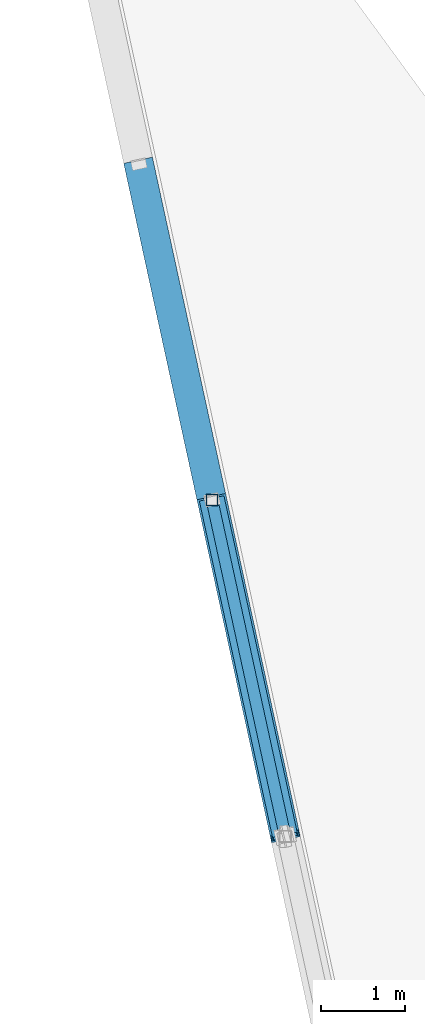
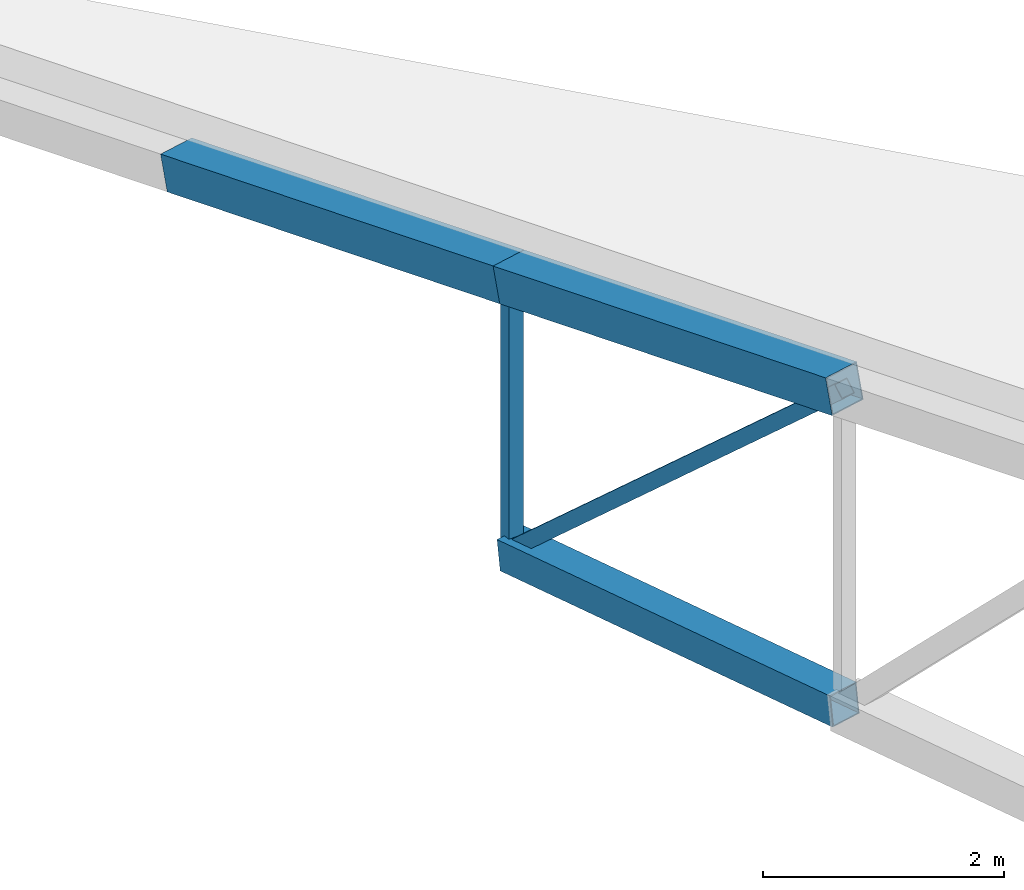
# One storey, part 31 of 188: 5 members.
"""IFC4 building model written with IfcOpenShell, lengths in metres."""

import ifcopenshell
import ifcopenshell.guid

model = None  # the IFC model being written
_history = None  # IfcOwnerHistory: only IFC2X3 demands one
_inside = {}  # id of a spatial element -> (the spatial element, [elements in it])
_under = {}  # id of a project, library or spatial element -> (it, [spatial elements below it])
_declared = {}  # id of a project -> (the project, [libraries it declares])
_typed = {}  # id of a type object -> (the type object, [elements of that type])
_made_of = {}  # id of a material, layer set ... -> (it, [elements and type objects made of it])


def new_model(schema):
    """Start an empty IFC model of exactly this schema.

    Asked for "IFC4X3", IfcOpenShell would pick the latest addendum, in which some entities
    have other attributes; the version numbers below select the first issue.
    IFC2X3 requires an IfcOwnerHistory on every rooted entity: one is made here for all.
    """
    global model, _history
    if schema == "IFC4X3":
        model = ifcopenshell.file(schema_version=(4, 3, 0, 0))
    else:
        model = ifcopenshell.file(schema=schema)
    _inside.clear()
    _under.clear()
    _declared.clear()
    _typed.clear()
    _made_of.clear()
    _history = None
    if model.schema == "IFC2X3":
        org = make("IfcOrganization", Name="unknown")
        user = make(
            "IfcPersonAndOrganization",
            ThePerson=make("IfcPerson", FamilyName="unknown"),
            TheOrganization=org,
        )
        app = make(
            "IfcApplication",
            ApplicationDeveloper=org,
            Version="unknown",
            ApplicationFullName="unknown",
            ApplicationIdentifier="unknown",
        )
        _history = make(
            "IfcOwnerHistory",
            OwningUser=user,
            OwningApplication=app,
            ChangeAction="ADDED",
            CreationDate=0,
        )
    return model


def make(cls, **values):
    """One entity of the class cls with the attributes given. An attribute that is None is left unset."""
    return model.create_entity(
        cls, **{name: value for name, value in values.items() if value is not None}
    )


def rooted(cls, **values):
    """An entity with a GlobalId (a new one), such as an element, a storey or a relation."""
    return make(cls, GlobalId=ifcopenshell.guid.new(), OwnerHistory=_history, **values)


def si_unit(unit_type, name, prefix=None):
    """IfcSIUnit, for example si_unit("LENGTHUNIT", "METRE", prefix="MILLI")."""
    return make("IfcSIUnit", UnitType=unit_type, Prefix=prefix, Name=name)


def assignment(units):
    """IfcUnitAssignment: the units of a project."""
    return None if units is None else make("IfcUnitAssignment", Units=units)


def point(xyz):
    """IfcCartesianPoint."""
    return None if xyz is None else make("IfcCartesianPoint", Coordinates=xyz)


def direction(xyz):
    """IfcDirection."""
    return None if xyz is None else make("IfcDirection", DirectionRatios=xyz)


def frame(location, z_axis=None, x_axis=None):
    """IfcAxis2Placement3D, a coordinate frame: its origin and axes. An axis left out is left unset."""
    return make(
        "IfcAxis2Placement3D",
        Location=point(location),
        Axis=direction(z_axis),
        RefDirection=direction(x_axis),
    )


def frame_2d(location, x_axis=None):
    """IfcAxis2Placement2D, a coordinate frame in the plane: its origin and x axis."""
    return make(
        "IfcAxis2Placement2D", Location=point(location), RefDirection=direction(x_axis)
    )


def origin():
    """The frame at (0, 0, 0) with its axes left unset."""
    return frame((0.0, 0.0, 0.0))


def origin_2d():
    """The frame at (0, 0) in the plane with its x axis left unset."""
    return frame_2d((0.0, 0.0))


def place(relative_to, where):
    """IfcLocalPlacement: puts the frame where relative to a parent placement (None: the world)."""
    return make(
        "IfcLocalPlacement", PlacementRelTo=relative_to, RelativePlacement=where
    )


def context(
    kind, dimensions, precision=None, world=None, true_north=None, identifier=None
):
    """IfcGeometricRepresentationContext, for example the 3D "Model" context."""
    return make(
        "IfcGeometricRepresentationContext",
        ContextIdentifier=identifier,
        ContextType=kind,
        CoordinateSpaceDimension=dimensions,
        Precision=precision,
        WorldCoordinateSystem=world,
        TrueNorth=true_north,
    )


def subcontext(parent, identifier, kind, view, scale=None):
    """IfcGeometricRepresentationSubContext, for example "Body" below "Model"."""
    return make(
        "IfcGeometricRepresentationSubContext",
        ContextIdentifier=identifier,
        ContextType=kind,
        ParentContext=parent,
        TargetScale=scale,
        TargetView=view,
    )


def project(units=None, contexts=None):
    """IfcProject with its units and contexts."""
    return rooted(
        "IfcProject",
        Name="project",
        RepresentationContexts=contexts,
        UnitsInContext=assignment(units),
    )


def spatial(cls, under=None, at=None, **own):
    """A site, building, storey or space (cls), placed at a placement, below another one or the project."""
    s = rooted(cls, ObjectPlacement=at, **own)
    if under is not None:
        _under.setdefault(under.id(), (under, []))[1].append(s)
    return s


def profile(cls, at=None, kind="AREA", **sizes):
    """A parametric profile (cls). Its sizes go by their IFC names, for example OverallWidth=200.0."""
    return make(cls, ProfileType=kind, Position=at, **sizes)


def hollow_rectangle(**sizes):
    """IfcRectangleHollowProfileDef."""
    return profile("IfcRectangleHollowProfileDef", **sizes)


def extrude(swept, where, along, depth):
    """IfcExtrudedAreaSolid: the profile swept, set in the frame where, extruded along a direction by depth."""
    return make(
        "IfcExtrudedAreaSolid",
        SweptArea=swept,
        Position=where,
        ExtrudedDirection=direction(along),
        Depth=depth,
    )


def shape(context_of_items, identifier, shape_type, items):
    """IfcShapeRepresentation: the items that make up one representation, for example the "Body"."""
    return make(
        "IfcShapeRepresentation",
        ContextOfItems=context_of_items,
        RepresentationIdentifier=identifier,
        RepresentationType=shape_type,
        Items=items,
    )


def material(Name=None, Category=None):
    """IfcMaterial."""
    return make("IfcMaterial", Name=Name, Category=Category)


def material_profile(
    of_material, cross_section, Name=None, Category=None, Priority=None
):
    """IfcMaterialProfile: a cross section and its material."""
    return make(
        "IfcMaterialProfile",
        Name=Name,
        Material=of_material,
        Profile=cross_section,
        Priority=Priority,
        Category=Category,
    )


def profile_set(profiles, Name=None, composite=None):
    """IfcMaterialProfileSet."""
    return make(
        "IfcMaterialProfileSet",
        Name=Name,
        MaterialProfiles=profiles,
        CompositeProfile=composite,
    )


def made_of(thing, what):
    """Note that an element or type object is made of a material, layer set ...; save() writes the relation."""
    if what is not None:
        _made_of.setdefault(what.id(), (what, []))[1].append(thing)
    return thing


def type_object(cls, material=None, **own):
    """A type object (cls), such as IfcWallType, which elements share."""
    return made_of(rooted(cls, **own), material)


def element(
    cls,
    number,
    at=None,
    inside=None,
    cuts=None,
    type_object=None,
    material=None,
    context=None,
    identifier="Body",
    shape_type=None,
    held_by="IfcProductDefinitionShape",
    body=None,
    shapes=None,
    **own,
):
    """One element of the class cls, such as IfcWall. Its Tag is "e" and its number.

    at: its placement. inside: the storey or other place that contains it. cuts: it is an
    opening in that element (IfcRelVoidsElement). A single representation is given by context,
    identifier, shape_type and body (its items); several are given by shapes. held_by: the class
    of the entity that holds the representations. save() writes the other relations.
    """
    e = rooted(cls, Tag="e%d" % number, ObjectPlacement=at, **own)
    if body is not None:
        shapes = [shape(context, identifier, shape_type, body)]
    if shapes is not None:
        e.Representation = make(held_by, Representations=shapes)
    if inside is not None:
        _inside.setdefault(inside.id(), (inside, []))[1].append(e)
    if cuts is not None:
        rooted(
            "IfcRelVoidsElement", RelatingBuildingElement=cuts, RelatedOpeningElement=e
        )
    if type_object is not None:
        _typed.setdefault(type_object.id(), (type_object, []))[1].append(e)
    return made_of(e, material)


def aggregate(whole, parts):
    """IfcRelAggregates: a whole, such as a stair, and the parts it consists of."""
    return rooted("IfcRelAggregates", RelatingObject=whole, RelatedObjects=parts)


def save(model, path):
    """Write the relations noted so far, then the file.

    IfcRelAggregates (storeys below a building ...), IfcRelContainedInSpatialStructure (elements
    in a storey), IfcRelDefinesByType, IfcRelAssociatesMaterial and IfcRelDeclares: one each for
    every whole, place, type object, material and project.
    """
    for whole, parts in _under.values():
        aggregate(whole, parts)
    for where, things in _inside.values():
        rooted(
            "IfcRelContainedInSpatialStructure",
            RelatedElements=things,
            RelatingStructure=where,
        )
    for kind, things in _typed.values():
        rooted("IfcRelDefinesByType", RelatedObjects=things, RelatingType=kind)
    for what, things in _made_of.values():
        rooted("IfcRelAssociatesMaterial", RelatedObjects=things, RelatingMaterial=what)
    for by, libraries in _declared.values():
        rooted("IfcRelDeclares", RelatingContext=by, RelatedDefinitions=libraries)
    model.write(path)


model = new_model("IFC4")

# Units and contexts
model_context = context("Model", 3, precision=1e-05, world=origin(), true_north=direction((0.0, 1.0)))
body_context = subcontext(model_context, "Body", "Model", "MODEL_VIEW")
ifc_project = project(units=[si_unit("LENGTHUNIT", "METRE"), si_unit("AREAUNIT", "SQUARE_METRE"), si_unit("VOLUMEUNIT", "CUBIC_METRE"), si_unit("PLANEANGLEUNIT", "RADIAN"), si_unit("MASSUNIT", "GRAM", prefix="KILO")], contexts=[model_context])

# Site, building, storey
site_placement = place(None, origin())
site = spatial("IfcSite", under=ifc_project, at=site_placement, CompositionType="ELEMENT")
building_placement = place(site_placement, origin())
building = spatial("IfcBuilding", under=site, at=building_placement, Name="Meseta Stadium", CompositionType="ELEMENT")
storey_placement = place(building_placement, frame((0.0, 0.0, 30.0)))
storey = spatial("IfcBuildingStorey", under=building, at=storey_placement, Name="ROOF", CompositionType="ELEMENT", Elevation=30.0)

# Members
ifc_material_1 = material(Name="Steel S355", Category="steel")
ifc_material_profile_1 = material_profile(ifc_material_1, hollow_rectangle(XDim=0.139892578125, YDim=0.139892578125, WallThickness=0.0048828125, at=origin_2d()), Name="SHS 140x140x5")
ifc_profile_set_1 = profile_set([ifc_material_profile_1], Name="Steel S355")
member_type_1 = type_object("IfcMemberType", Name="SHS 140x140x5 diagonal", PredefinedType="BRACE", material=ifc_profile_set_1)
member_1_placement = place(storey_placement, frame((17.008544921875, -77.870361328125, 0.917724609375), z_axis=(0.157118081499, -0.721838076326, 0.673990875333), x_axis=(0.97712104234, 0.212683964174, 0.0)))
element("IfcMember", 1, at=member_1_placement, inside=storey, type_object=member_type_1, Name="ROOF TRUSS RT-48 diagonal", PredefinedType="BRACE", context=body_context, shape_type="SweptSolid", body=[
    extrude(hollow_rectangle(XDim=0.139892578125, YDim=0.139892578125, WallThickness=0.0048828125, at=origin_2d()), origin(), (0.0, 0.0, 1.0), 5.556640625),
])
ifc_material_2 = material(Name="Steel S355", Category="steel")
ifc_material_profile_2 = material_profile(ifc_material_2, hollow_rectangle(XDim=0.139892578125, YDim=0.139892578125, WallThickness=0.0048828125, at=origin_2d()), Name="SHS 140x140x5")
ifc_profile_set_2 = profile_set([ifc_material_profile_2], Name="Steel S355")
member_type_2 = type_object("IfcMemberType", Name="SHS 140x140x5 post", PredefinedType="POST", material=ifc_profile_set_2)
member_2_placement = place(storey_placement, frame((17.008544921875, -77.870361328125, 0.917724609375), z_axis=(0.0, 0.0, 1.0), x_axis=(1.0, 0.0, 0.0)))
element("IfcMember", 2, at=member_2_placement, inside=storey, type_object=member_type_2, Name="ROOF TRUSS RT-48 post", PredefinedType="POST", context=body_context, shape_type="SweptSolid", body=[
    extrude(hollow_rectangle(XDim=0.139892578125, YDim=0.139892578125, WallThickness=0.0048828125, at=origin_2d()), origin(), (0.0, 0.0, 1.0), 2.752685546875),
])
ifc_material_3 = material(Name="Steel S355", Category="steel")
ifc_material_profile_3 = material_profile(ifc_material_3, hollow_rectangle(XDim=0.300048828125, YDim=0.300048828125, WallThickness=0.010009765625, at=origin_2d()), Name="SHS 300x300x10")
ifc_profile_set_3 = profile_set([ifc_material_profile_3], Name="Steel S355")
member_type_3 = type_object("IfcMemberType", Name="SHS 300x300x10 bottom chord", PredefinedType="CHORD", material=ifc_profile_set_3)
member_3_placement = place(storey_placement, frame((17.008544921875, -77.870361328125, 0.917724609375), z_axis=(0.210855588911, -0.968721048718, 0.130841317616), x_axis=(0.97712104234, 0.212683964174, 0.0)))
element("IfcMember", 3, at=member_3_placement, inside=storey, type_object=member_type_3, Name="ROOF TRUSS RT-48 bottom chord", PredefinedType="CHORD", context=body_context, shape_type="SweptSolid", body=[
    extrude(hollow_rectangle(XDim=0.300048828125, YDim=0.300048828125, WallThickness=0.010009765625, at=origin_2d()), origin(), (0.0, 0.0, 1.0), 4.140380859375),
])
ifc_material_4 = material(Name="Steel S355", Category="steel")
ifc_material_profile_4 = material_profile(ifc_material_4, hollow_rectangle(XDim=0.35009765625, YDim=0.35009765625, WallThickness=0.010009765625, at=origin_2d()), Name="SHS 350x350x10")
ifc_profile_set_4 = profile_set([ifc_material_profile_4], Name="Steel S355")
member_type_4 = type_object("IfcMemberType", Name="SHS 350x350x10 top chord", PredefinedType="CHORD", material=ifc_profile_set_4)
member_4_placement = place(storey_placement, frame((16.1357421875, -73.859130859375, 2.677978515625), z_axis=(0.206661295728, -0.949774850017, 0.234986899898), x_axis=(0.9771360896, 0.212614821687, 0.0)))
element("IfcMember", 4, at=member_4_placement, inside=storey, type_object=member_type_4, Name="ROOF TRUSS RT-48 top chord", PredefinedType="CHORD", context=body_context, shape_type="SweptSolid", body=[
    extrude(hollow_rectangle(XDim=0.35009765625, YDim=0.35009765625, WallThickness=0.010009765625, at=origin_2d()), origin(), (0.0, 0.0, 1.0), 4.223388671875),
])
member_5_placement = place(storey_placement, frame((17.008544921875, -77.870361328125, 3.67041015625), z_axis=(0.206727983086, -0.949757839519, 0.234996994196), x_axis=(0.97712104234, 0.212683964174, 0.0)))
element("IfcMember", 5, at=member_5_placement, inside=storey, type_object=member_type_4, Name="ROOF TRUSS RT-48 top chord", PredefinedType="CHORD", context=body_context, shape_type="SweptSolid", body=[
    extrude(hollow_rectangle(XDim=0.35009765625, YDim=0.35009765625, WallThickness=0.010009765625, at=origin_2d()), origin(), (0.0, 0.0, 1.0), 4.22314453125),
])

save(model, "model.ifc")
